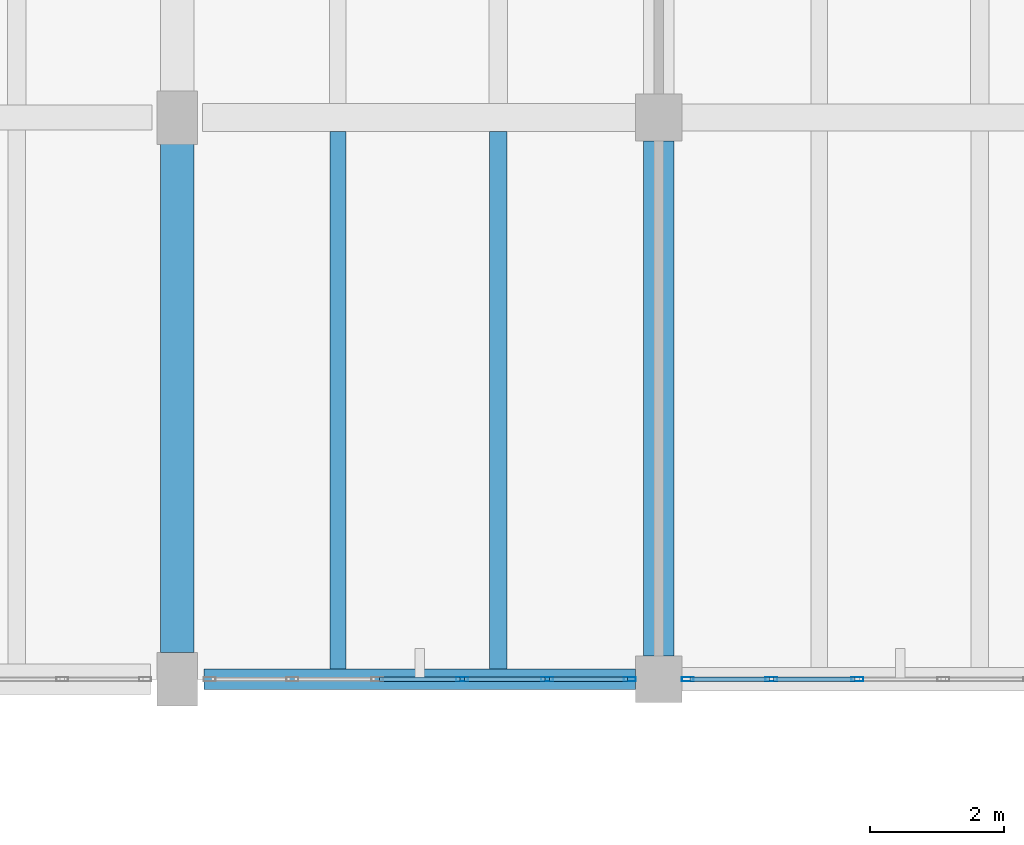
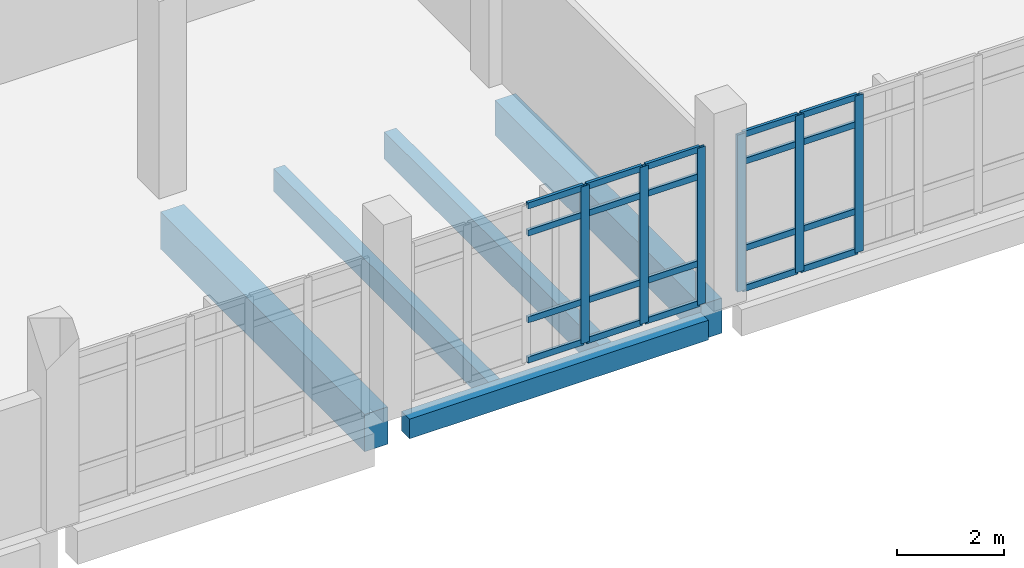
# One storey, part 49 of 87: 26 members, 5 beams, 2 elements without a shape of their own.
"""IFC4 building model written with IfcOpenShell, lengths in metres."""

from ifc_helpers import new_model, si_unit, direction, frame, origin, origin_2d, place, context, subcontext, project, spatial, rectangle, hollow_rectangle, extrude, material, material_profile, profile_set, type_object, element, aggregate, save


model = new_model("IFC4")

# Units and contexts
model_context = context("Model", 3, precision=1e-05, world=origin(), true_north=direction((0.0, 1.0)))
body_context = subcontext(model_context, "Body", "Model", "MODEL_VIEW")
ifc_project = project(units=[si_unit("LENGTHUNIT", "METRE"), si_unit("AREAUNIT", "SQUARE_METRE"), si_unit("VOLUMEUNIT", "CUBIC_METRE"), si_unit("PLANEANGLEUNIT", "RADIAN"), si_unit("MASSUNIT", "GRAM", prefix="KILO")], contexts=[model_context])

# Site, building, storey
site_placement = place(None, origin())
site = spatial("IfcSite", under=ifc_project, at=site_placement, CompositionType="ELEMENT")
building_placement = place(site_placement, origin())
building = spatial("IfcBuilding", under=site, at=building_placement, Name="Kalluvel Institute of Natural Sciences", CompositionType="ELEMENT")
storey_placement = place(building_placement, frame((0.0, 0.0, 18.89990234375)))
storey = spatial("IfcBuildingStorey", under=building, at=storey_placement, Name="L04", CompositionType="ELEMENT", Elevation=18.89990234375)

# Beams
ifc_material_1 = material(Name="Concrete M40", Category="concrete")
ifc_material_profile_1 = material_profile(ifc_material_1, rectangle(XDim=0.449951171875, YDim=0.800048828125, at=origin_2d()), Name="RCB 450x800")
ifc_profile_set_1 = profile_set([ifc_material_profile_1], Name="Concrete M40")
beam_type_1 = type_object("IfcBeamType", Name="BM-RC450x800", PredefinedType="BEAM", material=ifc_profile_set_1)
beam_1_placement = place(storey_placement, frame((93.199951171875, 103.14990234375, -0.719970703125), z_axis=(0.0, 1.0, 0.0), x_axis=(-1.0, 0.0, 0.0)))
element("IfcBeam", 1, at=beam_1_placement, inside=storey, type_object=beam_type_1, Name="L04 girder GIR-L04-NS-X932-Y1028", PredefinedType="BEAM", context=body_context, shape_type="SweptSolid", body=[
    extrude(rectangle(XDim=0.449951171875, YDim=0.800048828125, at=origin_2d()), origin(), (0.0, 0.0, 1.0), 7.7001953125),
])
ifc_material_2 = material(Name="Concrete M50", Category="concrete")
ifc_material_profile_2 = material_profile(ifc_material_2, rectangle(XDim=0.5, YDim=0.85009765625, at=origin_2d()), Name="RCB 500x850")
ifc_profile_set_2 = profile_set([ifc_material_profile_2], Name="Concrete M50")
beam_type_2 = type_object("IfcBeamType", Name="BM-RC500x850", PredefinedType="BEAM", material=ifc_profile_set_2)
beam_2_placement = place(storey_placement, frame((86.0, 103.199951171875, -0.744873046875), z_axis=(0.0, 1.0, 0.0), x_axis=(-1.0, 0.0, 0.0)))
element("IfcBeam", 2, at=beam_2_placement, inside=storey, type_object=beam_type_2, Name="L04 girder GIR-L04-NS-X860-Y1028", PredefinedType="BEAM", context=body_context, shape_type="SweptSolid", body=[
    extrude(rectangle(XDim=0.5, YDim=0.85009765625, at=origin_2d()), origin(), (0.0, 0.0, 1.0), 7.625),
])

# Curtain wall, members
ifc_material_3 = material(Name="Aluminium AW-6063 T6", Category="aluminium")
curtain_wall_type = type_object("IfcCurtainWallType", Name="CW-WET-45", PredefinedType="USERDEFINED", material=ifc_material_3)
curtain_wall_1_placement = place(storey_placement, origin())
curtain_wall_1 = element("IfcCurtainWall", 3, at=curtain_wall_1_placement, inside=storey, type_object=curtain_wall_type, Name="L04 Gothic lancet curtain wall CWA-L04-X864-Y1028", ObjectType="UNITISED LANCET FACADE", PredefinedType="USERDEFINED")
ifc_material_profile_3 = material_profile(ifc_material_3, hollow_rectangle(XDim=0.06494140625, YDim=0.179931640625, WallThickness=0.00439453125, at=origin_2d()), Name="CWM 65x180")
ifc_profile_set_3 = profile_set([ifc_material_profile_3], Name="Aluminium AW-6063 T6")
member_type_1 = type_object("IfcMemberType", Name="CWM-65x180", PredefinedType="MULLION", material=ifc_profile_set_3)
member_1_placement = place(storey_placement, frame((90.260009765625, 102.800048828125, 0.0), z_axis=(0.0, 0.0, 1.0), x_axis=(0.0, 1.0, 0.0)))
member_1 = element("IfcMember", 4, at=member_1_placement, type_object=member_type_1, Name="CW-01 mullion 4", PredefinedType="MULLION", context=body_context, shape_type="SweptSolid", body=[
    extrude(hollow_rectangle(XDim=0.06494140625, YDim=0.179931640625, WallThickness=0.00439453125, at=origin_2d()), origin(), (0.0, 0.0, 1.0), 3.580078125),
])
member_2_placement = place(storey_placement, frame((91.530029296875, 102.800048828125, 0.0), z_axis=(0.0, 0.0, 1.0), x_axis=(0.0, 1.0, 0.0)))
member_2 = element("IfcMember", 5, at=member_2_placement, type_object=member_type_1, Name="CW-01 mullion 5", PredefinedType="MULLION", context=body_context, shape_type="SweptSolid", body=[
    extrude(hollow_rectangle(XDim=0.06494140625, YDim=0.179931640625, WallThickness=0.00439453125, at=origin_2d()), origin(), (0.0, 0.0, 1.0), 3.580078125),
])
member_3_placement = place(storey_placement, frame((92.767578125, 102.800048828125, 0.0), z_axis=(0.0, 0.0, 1.0), x_axis=(0.0, 1.0, 0.0)))
member_3 = element("IfcMember", 6, at=member_3_placement, type_object=member_type_1, Name="CW-01 mullion 6", PredefinedType="MULLION", context=body_context, shape_type="SweptSolid", body=[
    extrude(hollow_rectangle(XDim=0.06494140625, YDim=0.179931640625, WallThickness=0.00439453125, at=origin_2d()), origin(), (0.0, 0.0, 1.0), 3.580078125),
])

curtain_wall_2_placement = place(storey_placement, origin())
curtain_wall_2 = element("IfcCurtainWall", 7, at=curtain_wall_2_placement, inside=storey, type_object=curtain_wall_type, Name="L04 Gothic lancet curtain wall CWA-L04-X936-Y1028", ObjectType="UNITISED LANCET FACADE", PredefinedType="USERDEFINED")
member_4_placement = place(storey_placement, frame((93.632568359375, 102.800048828125, 0.0), z_axis=(0.0, 0.0, 1.0), x_axis=(0.0, 1.0, 0.0)))
member_4 = element("IfcMember", 8, at=member_4_placement, type_object=member_type_1, Name="CW-01 mullion 1", PredefinedType="MULLION", context=body_context, shape_type="SweptSolid", body=[
    extrude(hollow_rectangle(XDim=0.06494140625, YDim=0.179931640625, WallThickness=0.00439453125, at=origin_2d()), origin(), (0.0, 0.0, 1.0), 3.580078125),
])
member_5_placement = place(storey_placement, frame((94.885009765625, 102.800048828125, 0.0), z_axis=(0.0, 0.0, 1.0), x_axis=(0.0, 1.0, 0.0)))
member_5 = element("IfcMember", 9, at=member_5_placement, type_object=member_type_1, Name="CW-01 mullion 2", PredefinedType="MULLION", context=body_context, shape_type="SweptSolid", body=[
    extrude(hollow_rectangle(XDim=0.06494140625, YDim=0.179931640625, WallThickness=0.00439453125, at=origin_2d()), origin(), (0.0, 0.0, 1.0), 3.580078125),
])
member_6_placement = place(storey_placement, frame((96.169921875, 102.800048828125, 0.0), z_axis=(0.0, 0.0, 1.0), x_axis=(0.0, 1.0, 0.0)))
member_6 = element("IfcMember", 10, at=member_6_placement, type_object=member_type_1, Name="CW-01 mullion 3", PredefinedType="MULLION", context=body_context, shape_type="SweptSolid", body=[
    extrude(hollow_rectangle(XDim=0.06494140625, YDim=0.179931640625, WallThickness=0.00439453125, at=origin_2d()), origin(), (0.0, 0.0, 1.0), 3.580078125),
])

# Member
ifc_material_profile_4 = material_profile(ifc_material_3, hollow_rectangle(XDim=0.06494140625, YDim=0.139892578125, WallThickness=0.00439453125, at=origin_2d()), Name="CWT 65x140")
ifc_profile_set_4 = profile_set([ifc_material_profile_4], Name="Aluminium AW-6063 T6")
member_type_2 = type_object("IfcMemberType", Name="CWT-65x140", PredefinedType="USERDEFINED", material=ifc_profile_set_4)
member_7_placement = place(storey_placement, frame((89.0224609375, 102.800048828125, 0.03271484375), z_axis=(1.0, 0.0, 0.0), x_axis=(0.0, 1.0, 0.0)))
member_7 = element("IfcMember", 11, at=member_7_placement, type_object=member_type_2, Name="CW-01 transom 3.1", ObjectType="TRANSOM", PredefinedType="USERDEFINED", context=body_context, shape_type="SweptSolid", body=[
    extrude(hollow_rectangle(XDim=0.06494140625, YDim=0.139892578125, WallThickness=0.00439453125, at=origin_2d()), origin(), (0.0, 0.0, 1.0), 1.205078125),
])

member_8_placement = place(storey_placement, frame((89.0224609375, 102.800048828125, 0.9501953125), z_axis=(1.0, 0.0, 0.0), x_axis=(0.0, 1.0, 0.0)))
member_8 = element("IfcMember", 12, at=member_8_placement, type_object=member_type_2, Name="CW-01 transom 3.2", ObjectType="TRANSOM", PredefinedType="USERDEFINED", context=body_context, shape_type="SweptSolid", body=[
    extrude(hollow_rectangle(XDim=0.06494140625, YDim=0.139892578125, WallThickness=0.00439453125, at=origin_2d()), origin(), (0.0, 0.0, 1.0), 1.205078125),
])

member_9_placement = place(storey_placement, frame((89.0224609375, 102.800048828125, 2.93017578125), z_axis=(1.0, 0.0, 0.0), x_axis=(0.0, 1.0, 0.0)))
member_9 = element("IfcMember", 13, at=member_9_placement, type_object=member_type_2, Name="CW-01 transom 3.3", ObjectType="TRANSOM", PredefinedType="USERDEFINED", context=body_context, shape_type="SweptSolid", body=[
    extrude(hollow_rectangle(XDim=0.06494140625, YDim=0.139892578125, WallThickness=0.00439453125, at=origin_2d()), origin(), (0.0, 0.0, 1.0), 1.205078125),
])

member_10_placement = place(storey_placement, frame((89.0224609375, 102.800048828125, 3.547607421875), z_axis=(1.0, 0.0, 0.0), x_axis=(0.0, 1.0, 0.0)))
member_10 = element("IfcMember", 14, at=member_10_placement, type_object=member_type_2, Name="CW-01 transom 3.4", ObjectType="TRANSOM", PredefinedType="USERDEFINED", context=body_context, shape_type="SweptSolid", body=[
    extrude(hollow_rectangle(XDim=0.06494140625, YDim=0.139892578125, WallThickness=0.00439453125, at=origin_2d()), origin(), (0.0, 0.0, 1.0), 1.205078125),
])

member_11_placement = place(storey_placement, frame((90.29248046875, 102.800048828125, 0.03271484375), z_axis=(1.0, 0.0, 0.0), x_axis=(0.0, 1.0, 0.0)))
member_11 = element("IfcMember", 15, at=member_11_placement, type_object=member_type_2, Name="CW-01 transom 4.1", ObjectType="TRANSOM", PredefinedType="USERDEFINED", context=body_context, shape_type="SweptSolid", body=[
    extrude(hollow_rectangle(XDim=0.06494140625, YDim=0.139892578125, WallThickness=0.00439453125, at=origin_2d()), origin(), (0.0, 0.0, 1.0), 1.205078125),
])

member_12_placement = place(storey_placement, frame((90.29248046875, 102.800048828125, 0.9501953125), z_axis=(1.0, 0.0, 0.0), x_axis=(0.0, 1.0, 0.0)))
member_12 = element("IfcMember", 16, at=member_12_placement, type_object=member_type_2, Name="CW-01 transom 4.2", ObjectType="TRANSOM", PredefinedType="USERDEFINED", context=body_context, shape_type="SweptSolid", body=[
    extrude(hollow_rectangle(XDim=0.06494140625, YDim=0.139892578125, WallThickness=0.00439453125, at=origin_2d()), origin(), (0.0, 0.0, 1.0), 1.205078125),
])

member_13_placement = place(storey_placement, frame((90.29248046875, 102.800048828125, 2.93017578125), z_axis=(1.0, 0.0, 0.0), x_axis=(0.0, 1.0, 0.0)))
member_13 = element("IfcMember", 17, at=member_13_placement, type_object=member_type_2, Name="CW-01 transom 4.3", ObjectType="TRANSOM", PredefinedType="USERDEFINED", context=body_context, shape_type="SweptSolid", body=[
    extrude(hollow_rectangle(XDim=0.06494140625, YDim=0.139892578125, WallThickness=0.00439453125, at=origin_2d()), origin(), (0.0, 0.0, 1.0), 1.205078125),
])

member_14_placement = place(storey_placement, frame((90.29248046875, 102.800048828125, 3.547607421875), z_axis=(1.0, 0.0, 0.0), x_axis=(0.0, 1.0, 0.0)))
member_14 = element("IfcMember", 18, at=member_14_placement, type_object=member_type_2, Name="CW-01 transom 4.4", ObjectType="TRANSOM", PredefinedType="USERDEFINED", context=body_context, shape_type="SweptSolid", body=[
    extrude(hollow_rectangle(XDim=0.06494140625, YDim=0.139892578125, WallThickness=0.00439453125, at=origin_2d()), origin(), (0.0, 0.0, 1.0), 1.205078125),
])

member_15_placement = place(storey_placement, frame((91.5625, 102.800048828125, 0.03271484375), z_axis=(1.0, 0.0, 0.0), x_axis=(0.0, 1.0, 0.0)))
member_15 = element("IfcMember", 19, at=member_15_placement, type_object=member_type_2, Name="CW-01 transom 5.1", ObjectType="TRANSOM", PredefinedType="USERDEFINED", context=body_context, shape_type="SweptSolid", body=[
    extrude(hollow_rectangle(XDim=0.06494140625, YDim=0.139892578125, WallThickness=0.00439453125, at=origin_2d()), origin(), (0.0, 0.0, 1.0), 1.172607421875),
])

member_16_placement = place(storey_placement, frame((91.5625, 102.800048828125, 0.9501953125), z_axis=(1.0, 0.0, 0.0), x_axis=(0.0, 1.0, 0.0)))
member_16 = element("IfcMember", 20, at=member_16_placement, type_object=member_type_2, Name="CW-01 transom 5.2", ObjectType="TRANSOM", PredefinedType="USERDEFINED", context=body_context, shape_type="SweptSolid", body=[
    extrude(hollow_rectangle(XDim=0.06494140625, YDim=0.139892578125, WallThickness=0.00439453125, at=origin_2d()), origin(), (0.0, 0.0, 1.0), 1.172607421875),
])

member_17_placement = place(storey_placement, frame((91.5625, 102.800048828125, 2.93017578125), z_axis=(1.0, 0.0, 0.0), x_axis=(0.0, 1.0, 0.0)))
member_17 = element("IfcMember", 21, at=member_17_placement, type_object=member_type_2, Name="CW-01 transom 5.3", ObjectType="TRANSOM", PredefinedType="USERDEFINED", context=body_context, shape_type="SweptSolid", body=[
    extrude(hollow_rectangle(XDim=0.06494140625, YDim=0.139892578125, WallThickness=0.00439453125, at=origin_2d()), origin(), (0.0, 0.0, 1.0), 1.172607421875),
])

member_18_placement = place(storey_placement, frame((91.5625, 102.800048828125, 3.547607421875), z_axis=(1.0, 0.0, 0.0), x_axis=(0.0, 1.0, 0.0)))
member_18 = element("IfcMember", 22, at=member_18_placement, type_object=member_type_2, Name="CW-01 transom 5.4", ObjectType="TRANSOM", PredefinedType="USERDEFINED", context=body_context, shape_type="SweptSolid", body=[
    extrude(hollow_rectangle(XDim=0.06494140625, YDim=0.139892578125, WallThickness=0.00439453125, at=origin_2d()), origin(), (0.0, 0.0, 1.0), 1.172607421875),
])

aggregate(curtain_wall_1, [member_1, member_2, member_3, member_7, member_8, member_9, member_10, member_11, member_12, member_13, member_14, member_15, member_16, member_17, member_18])

member_19_placement = place(storey_placement, frame((93.6650390625, 102.800048828125, 0.03271484375), z_axis=(1.0, 0.0, 0.0), x_axis=(0.0, 1.0, 0.0)))
member_19 = element("IfcMember", 23, at=member_19_placement, type_object=member_type_2, Name="CW-01 transom 1.1", ObjectType="TRANSOM", PredefinedType="USERDEFINED", context=body_context, shape_type="SweptSolid", body=[
    extrude(hollow_rectangle(XDim=0.06494140625, YDim=0.139892578125, WallThickness=0.00439453125, at=origin_2d()), origin(), (0.0, 0.0, 1.0), 1.1875),
])

member_20_placement = place(storey_placement, frame((93.6650390625, 102.800048828125, 0.9501953125), z_axis=(1.0, 0.0, 0.0), x_axis=(0.0, 1.0, 0.0)))
member_20 = element("IfcMember", 24, at=member_20_placement, type_object=member_type_2, Name="CW-01 transom 1.2", ObjectType="TRANSOM", PredefinedType="USERDEFINED", context=body_context, shape_type="SweptSolid", body=[
    extrude(hollow_rectangle(XDim=0.06494140625, YDim=0.139892578125, WallThickness=0.00439453125, at=origin_2d()), origin(), (0.0, 0.0, 1.0), 1.1875),
])

member_21_placement = place(storey_placement, frame((93.6650390625, 102.800048828125, 2.93017578125), z_axis=(1.0, 0.0, 0.0), x_axis=(0.0, 1.0, 0.0)))
member_21 = element("IfcMember", 25, at=member_21_placement, type_object=member_type_2, Name="CW-01 transom 1.3", ObjectType="TRANSOM", PredefinedType="USERDEFINED", context=body_context, shape_type="SweptSolid", body=[
    extrude(hollow_rectangle(XDim=0.06494140625, YDim=0.139892578125, WallThickness=0.00439453125, at=origin_2d()), origin(), (0.0, 0.0, 1.0), 1.1875),
])

member_22_placement = place(storey_placement, frame((93.6650390625, 102.800048828125, 3.547607421875), z_axis=(1.0, 0.0, 0.0), x_axis=(0.0, 1.0, 0.0)))
member_22 = element("IfcMember", 26, at=member_22_placement, type_object=member_type_2, Name="CW-01 transom 1.4", ObjectType="TRANSOM", PredefinedType="USERDEFINED", context=body_context, shape_type="SweptSolid", body=[
    extrude(hollow_rectangle(XDim=0.06494140625, YDim=0.139892578125, WallThickness=0.00439453125, at=origin_2d()), origin(), (0.0, 0.0, 1.0), 1.1875),
])

member_23_placement = place(storey_placement, frame((94.91748046875, 102.800048828125, 0.03271484375), z_axis=(1.0, 0.0, 0.0), x_axis=(0.0, 1.0, 0.0)))
member_23 = element("IfcMember", 27, at=member_23_placement, type_object=member_type_2, Name="CW-01 transom 2.1", ObjectType="TRANSOM", PredefinedType="USERDEFINED", context=body_context, shape_type="SweptSolid", body=[
    extrude(hollow_rectangle(XDim=0.06494140625, YDim=0.139892578125, WallThickness=0.00439453125, at=origin_2d()), origin(), (0.0, 0.0, 1.0), 1.219970703125),
])

member_24_placement = place(storey_placement, frame((94.91748046875, 102.800048828125, 0.9501953125), z_axis=(1.0, 0.0, 0.0), x_axis=(0.0, 1.0, 0.0)))
member_24 = element("IfcMember", 28, at=member_24_placement, type_object=member_type_2, Name="CW-01 transom 2.2", ObjectType="TRANSOM", PredefinedType="USERDEFINED", context=body_context, shape_type="SweptSolid", body=[
    extrude(hollow_rectangle(XDim=0.06494140625, YDim=0.139892578125, WallThickness=0.00439453125, at=origin_2d()), origin(), (0.0, 0.0, 1.0), 1.219970703125),
])

member_25_placement = place(storey_placement, frame((94.91748046875, 102.800048828125, 2.93017578125), z_axis=(1.0, 0.0, 0.0), x_axis=(0.0, 1.0, 0.0)))
member_25 = element("IfcMember", 29, at=member_25_placement, type_object=member_type_2, Name="CW-01 transom 2.3", ObjectType="TRANSOM", PredefinedType="USERDEFINED", context=body_context, shape_type="SweptSolid", body=[
    extrude(hollow_rectangle(XDim=0.06494140625, YDim=0.139892578125, WallThickness=0.00439453125, at=origin_2d()), origin(), (0.0, 0.0, 1.0), 1.219970703125),
])

member_26_placement = place(storey_placement, frame((94.91748046875, 102.800048828125, 3.547607421875), z_axis=(1.0, 0.0, 0.0), x_axis=(0.0, 1.0, 0.0)))
member_26 = element("IfcMember", 30, at=member_26_placement, type_object=member_type_2, Name="CW-01 transom 2.4", ObjectType="TRANSOM", PredefinedType="USERDEFINED", context=body_context, shape_type="SweptSolid", body=[
    extrude(hollow_rectangle(XDim=0.06494140625, YDim=0.139892578125, WallThickness=0.00439453125, at=origin_2d()), origin(), (0.0, 0.0, 1.0), 1.219970703125),
])

aggregate(curtain_wall_2, [member_4, member_5, member_6, member_19, member_20, member_21, member_22, member_23, member_24, member_25, member_26])

# Beams
ifc_material_profile_5 = material_profile(ifc_material_1, rectangle(XDim=0.300048828125, YDim=0.449951171875, at=origin_2d()), Name="RCB 300x450")
ifc_profile_set_5 = profile_set([ifc_material_profile_5], Name="Concrete M40")
beam_type_3 = type_object("IfcBeamType", Name="SP-RC300x450", PredefinedType="SPANDREL", material=ifc_profile_set_5)
beam_3_placement = place(storey_placement, frame((86.39990234375, 102.800048828125, -0.544921875), z_axis=(1.0, 0.0, 0.0), x_axis=(0.0, 1.0, 0.0)))
element("IfcBeam", 31, at=beam_3_placement, inside=storey, type_object=beam_type_3, Name="L04 girder GIR-L04-EW-X860-Y1028", PredefinedType="SPANDREL", context=body_context, shape_type="SweptSolid", body=[
    extrude(rectangle(XDim=0.300048828125, YDim=0.449951171875, at=origin_2d()), origin(), (0.0, 0.0, 1.0), 6.4501953125),
])
ifc_material_profile_6 = material_profile(ifc_material_1, rectangle(XDim=0.239990234375, YDim=0.52001953125, at=origin_2d()), Name="WAF 240x520")
ifc_profile_set_6 = profile_set([ifc_material_profile_6], Name="Concrete M40")
beam_type_4 = type_object("IfcBeamType", Name="WJ-240x520", PredefinedType="JOIST", material=ifc_profile_set_6)
beam_4_placement = place(storey_placement, frame((88.39990234375, 102.949951171875, -0.579833984375), z_axis=(0.0, 1.0, 0.0), x_axis=(-1.0, 0.0, 0.0)))
element("IfcBeam", 32, at=beam_4_placement, inside=storey, type_object=beam_type_4, Name="L04 waffle joist RIB-L04-0344", PredefinedType="JOIST", context=body_context, shape_type="SweptSolid", body=[
    extrude(rectangle(XDim=0.239990234375, YDim=0.52001953125, at=origin_2d()), origin(), (0.0, 0.0, 1.0), 8.0400390625),
])
ifc_material_profile_7 = material_profile(ifc_material_2, rectangle(XDim=0.260009765625, YDim=0.6201171875, at=origin_2d()), Name="WAF 260x620")
ifc_profile_set_7 = profile_set([ifc_material_profile_7], Name="Concrete M50")
beam_type_5 = type_object("IfcBeamType", Name="WJ-260x620", PredefinedType="JOIST", material=ifc_profile_set_7)
beam_5_placement = place(storey_placement, frame((90.800048828125, 102.949951171875, -0.6298828125), z_axis=(0.0, 1.0, 0.0), x_axis=(-1.0, 0.0, 0.0)))
element("IfcBeam", 33, at=beam_5_placement, inside=storey, type_object=beam_type_5, Name="L04 waffle joist RIB-L04-0345", PredefinedType="JOIST", context=body_context, shape_type="SweptSolid", body=[
    extrude(rectangle(XDim=0.260009765625, YDim=0.6201171875, at=origin_2d()), origin(), (0.0, 0.0, 1.0), 8.0400390625),
])

save(model, "model.ifc")
